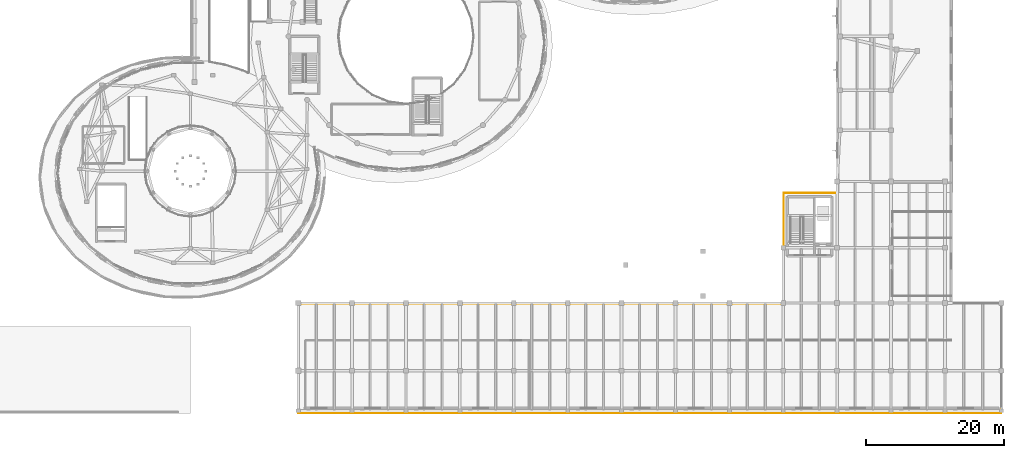
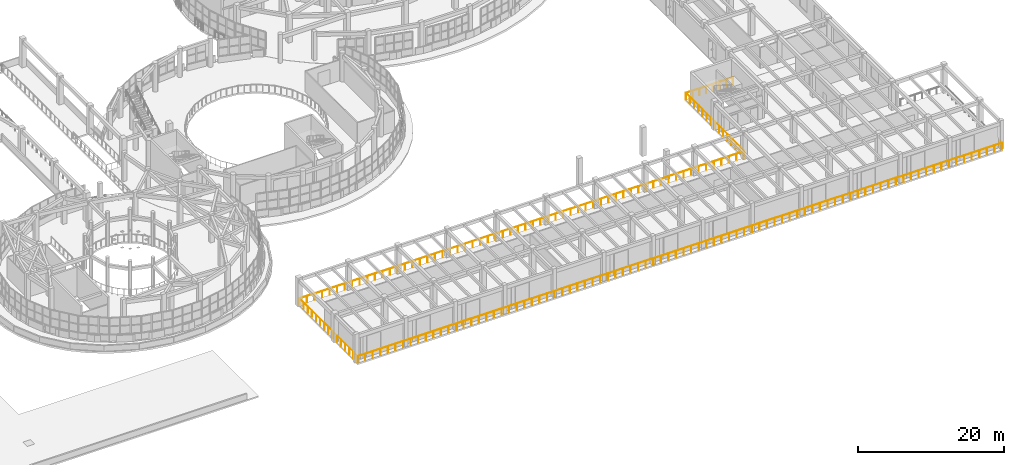
# One storey, part 91 of 98: 2 railings.
"""IFC4 building model written with IfcOpenShell, lengths in metres."""

from ifc_helpers import new_model, si_unit, direction, frame, origin, origin_2d, place, context, subcontext, project, spatial, circle, extrude, material, type_object, element, save


model = new_model("IFC4")

# Units and contexts
model_context = context("Model", 3, precision=1e-05, world=origin(), true_north=direction((0.0, 1.0)))
body_context = subcontext(model_context, "Body", "Model", "MODEL_VIEW")
ifc_project = project(units=[si_unit("LENGTHUNIT", "METRE"), si_unit("AREAUNIT", "SQUARE_METRE"), si_unit("VOLUMEUNIT", "CUBIC_METRE"), si_unit("PLANEANGLEUNIT", "RADIAN"), si_unit("MASSUNIT", "GRAM", prefix="KILO")], contexts=[model_context])

# Site, building, storey
site_placement = place(None, origin())
site = spatial("IfcSite", under=ifc_project, at=site_placement, CompositionType="ELEMENT")
building_placement = place(site_placement, origin())
building = spatial("IfcBuilding", under=site, at=building_placement, Name="Pelvatis Terrace Science Centre", CompositionType="ELEMENT")
storey_placement = place(building_placement, frame((0.0, 0.0, 5.39990234375)))
storey = spatial("IfcBuildingStorey", under=building, at=storey_placement, Name="L01", CompositionType="ELEMENT", Elevation=5.39990234375)

# Railings
ifc_material = material(Name="Bronze-anodised aluminium and laminated safety glass balustrade", Category="aluminium")
railing_type = type_object("IfcRailingType", Name="RLG-BAL-1150", PredefinedType="BALUSTRADE", material=ifc_material)
railing_1_placement = place(storey_placement, frame((62.4599609375, 0.06005859375, 0.0)))
element("IfcRailing", 1, at=railing_1_placement, inside=storey, type_object=railing_type, Name="Perimeter edge balustrade RLG-EDG-L01-094", PredefinedType="BALUSTRADE", context=body_context, shape_type="SweptSolid", body=[
    extrude(circle(Radius=0.02392578125, at=origin_2d()), frame((0.0, 0.0, 1.1259765625), z_axis=(0.0, 1.0, 0.0), x_axis=(-1.0, 0.0, 0.0)), (0.0, 0.0, 1.0), 15.8798828125),
    extrude(circle(Radius=0.02392578125, at=origin_2d()), frame((0.0, 15.8798828125, 1.1259765625), z_axis=(0.999999999267, 3.8297902e-05, 0.0), x_axis=(-3.8297902e-05, 0.999999999267, 0.0)), (0.0, 0.0, 1.0), 70.12255859375),
    extrude(circle(Radius=0.02392578125, at=origin_2d()), frame((70.12255859375, 15.882568359375, 1.1259765625), z_axis=(0.62205910192, 0.782970289167, 0.0), x_axis=(-0.782970289167, 0.62205910192, 0.0)), (0.0, 0.0, 1.0), 0.12451171875),
    extrude(circle(Radius=0.02392578125, at=origin_2d()), frame((70.199951171875, 15.97998046875, 1.1259765625), z_axis=(0.0, 1.0, 0.0), x_axis=(-1.0, 0.0, 0.0)), (0.0, 0.0, 1.0), 15.89990234375),
    extrude(circle(Radius=0.02392578125, at=origin_2d()), frame((70.199951171875, 31.8798828125, 1.1259765625), z_axis=(1.0, 0.0, 0.0), x_axis=(0.0, 1.0, 0.0)), (0.0, 0.0, 1.0), 7.44287109375),
    extrude(circle(Radius=0.02099609375, at=origin_2d()), origin(), (0.0, 0.0, 1.0), 1.101806640625),
    extrude(circle(Radius=0.02099609375, at=origin_2d()), frame((0.0, 1.13427734375, 0.0)), (0.0, 0.0, 1.0), 1.101806640625),
    extrude(circle(Radius=0.02099609375, at=origin_2d()), frame((0.0, 2.2685546875, 0.0)), (0.0, 0.0, 1.0), 1.101806640625),
    extrude(circle(Radius=0.02099609375, at=origin_2d()), frame((0.0, 3.40283203125, 0.0)), (0.0, 0.0, 1.0), 1.101806640625),
    extrude(circle(Radius=0.02099609375, at=origin_2d()), frame((0.0, 4.537109375, 0.0)), (0.0, 0.0, 1.0), 1.101806640625),
    extrude(circle(Radius=0.02099609375, at=origin_2d()), frame((0.0, 5.67138671875, 0.0)), (0.0, 0.0, 1.0), 1.101806640625),
    extrude(circle(Radius=0.02099609375, at=origin_2d()), frame((0.0, 6.8056640625, 0.0)), (0.0, 0.0, 1.0), 1.101806640625),
    extrude(circle(Radius=0.02099609375, at=origin_2d()), frame((0.0, 7.93994140625, 0.0)), (0.0, 0.0, 1.0), 1.101806640625),
    extrude(circle(Radius=0.02099609375, at=origin_2d()), frame((0.0, 9.07421875, 0.0)), (0.0, 0.0, 1.0), 1.101806640625),
    extrude(circle(Radius=0.02099609375, at=origin_2d()), frame((0.0, 10.20849609375, 0.0)), (0.0, 0.0, 1.0), 1.101806640625),
    extrude(circle(Radius=0.02099609375, at=origin_2d()), frame((0.0, 11.3427734375, 0.0)), (0.0, 0.0, 1.0), 1.101806640625),
    extrude(circle(Radius=0.02099609375, at=origin_2d()), frame((0.0, 12.47705078125, 0.0)), (0.0, 0.0, 1.0), 1.101806640625),
    extrude(circle(Radius=0.02099609375, at=origin_2d()), frame((0.0, 13.611328125, 0.0)), (0.0, 0.0, 1.0), 1.101806640625),
    extrude(circle(Radius=0.02099609375, at=origin_2d()), frame((0.0, 14.74560546875, 0.0)), (0.0, 0.0, 1.0), 1.101806640625),
    extrude(circle(Radius=0.02099609375, at=origin_2d()), frame((0.0, 15.8798828125, 0.0)), (0.0, 0.0, 1.0), 1.101806640625),
    extrude(circle(Radius=0.02099609375, at=origin_2d()), frame((1.1884765625, 15.8798828125, 0.0)), (0.0, 0.0, 1.0), 1.101806640625),
    extrude(circle(Radius=0.02099609375, at=origin_2d()), frame((2.376953125, 15.8798828125, 0.0)), (0.0, 0.0, 1.0), 1.101806640625),
    extrude(circle(Radius=0.02099609375, at=origin_2d()), frame((3.565673828125, 15.880126953125, 0.0)), (0.0, 0.0, 1.0), 1.101806640625),
    extrude(circle(Radius=0.02099609375, at=origin_2d()), frame((4.754150390625, 15.880126953125, 0.0)), (0.0, 0.0, 1.0), 1.101806640625),
    extrude(circle(Radius=0.02099609375, at=origin_2d()), frame((5.942626953125, 15.880126953125, 0.0)), (0.0, 0.0, 1.0), 1.101806640625),
    extrude(circle(Radius=0.02099609375, at=origin_2d()), frame((7.131103515625, 15.880126953125, 0.0)), (0.0, 0.0, 1.0), 1.101806640625),
    extrude(circle(Radius=0.02099609375, at=origin_2d()), frame((8.319580078125, 15.880126953125, 0.0)), (0.0, 0.0, 1.0), 1.101806640625),
    extrude(circle(Radius=0.02099609375, at=origin_2d()), frame((9.508056640625, 15.880126953125, 0.0)), (0.0, 0.0, 1.0), 1.101806640625),
    extrude(circle(Radius=0.02099609375, at=origin_2d()), frame((10.69677734375, 15.88037109375, 0.0)), (0.0, 0.0, 1.0), 1.101806640625),
    extrude(circle(Radius=0.02099609375, at=origin_2d()), frame((11.88525390625, 15.88037109375, 0.0)), (0.0, 0.0, 1.0), 1.101806640625),
    extrude(circle(Radius=0.02099609375, at=origin_2d()), frame((13.07373046875, 15.88037109375, 0.0)), (0.0, 0.0, 1.0), 1.101806640625),
    extrude(circle(Radius=0.02099609375, at=origin_2d()), frame((14.26220703125, 15.88037109375, 0.0)), (0.0, 0.0, 1.0), 1.101806640625),
    extrude(circle(Radius=0.02099609375, at=origin_2d()), frame((15.45068359375, 15.88037109375, 0.0)), (0.0, 0.0, 1.0), 1.101806640625),
    extrude(circle(Radius=0.02099609375, at=origin_2d()), frame((16.63916015625, 15.880615234375, 0.0)), (0.0, 0.0, 1.0), 1.101806640625),
    extrude(circle(Radius=0.02099609375, at=origin_2d()), frame((17.827880859375, 15.880615234375, 0.0)), (0.0, 0.0, 1.0), 1.101806640625),
    extrude(circle(Radius=0.02099609375, at=origin_2d()), frame((19.016357421875, 15.880615234375, 0.0)), (0.0, 0.0, 1.0), 1.101806640625),
    extrude(circle(Radius=0.02099609375, at=origin_2d()), frame((20.204833984375, 15.880615234375, 0.0)), (0.0, 0.0, 1.0), 1.101806640625),
    extrude(circle(Radius=0.02099609375, at=origin_2d()), frame((21.393310546875, 15.880615234375, 0.0)), (0.0, 0.0, 1.0), 1.101806640625),
    extrude(circle(Radius=0.02099609375, at=origin_2d()), frame((22.581787109375, 15.880859375, 0.0)), (0.0, 0.0, 1.0), 1.101806640625),
    extrude(circle(Radius=0.02099609375, at=origin_2d()), frame((23.770263671875, 15.880859375, 0.0)), (0.0, 0.0, 1.0), 1.101806640625),
    extrude(circle(Radius=0.02099609375, at=origin_2d()), frame((24.958984375, 15.880859375, 0.0)), (0.0, 0.0, 1.0), 1.101806640625),
    extrude(circle(Radius=0.02099609375, at=origin_2d()), frame((26.1474609375, 15.880859375, 0.0)), (0.0, 0.0, 1.0), 1.101806640625),
    extrude(circle(Radius=0.02099609375, at=origin_2d()), frame((27.3359375, 15.880859375, 0.0)), (0.0, 0.0, 1.0), 1.101806640625),
    extrude(circle(Radius=0.02099609375, at=origin_2d()), frame((28.5244140625, 15.880859375, 0.0)), (0.0, 0.0, 1.0), 1.101806640625),
    extrude(circle(Radius=0.02099609375, at=origin_2d()), frame((29.712890625, 15.881103515625, 0.0)), (0.0, 0.0, 1.0), 1.101806640625),
    extrude(circle(Radius=0.02099609375, at=origin_2d()), frame((30.9013671875, 15.881103515625, 0.0)), (0.0, 0.0, 1.0), 1.101806640625),
    extrude(circle(Radius=0.02099609375, at=origin_2d()), frame((32.090087890625, 15.881103515625, 0.0)), (0.0, 0.0, 1.0), 1.101806640625),
    extrude(circle(Radius=0.02099609375, at=origin_2d()), frame((33.278564453125, 15.881103515625, 0.0)), (0.0, 0.0, 1.0), 1.101806640625),
    extrude(circle(Radius=0.02099609375, at=origin_2d()), frame((34.467041015625, 15.881103515625, 0.0)), (0.0, 0.0, 1.0), 1.101806640625),
    extrude(circle(Radius=0.02099609375, at=origin_2d()), frame((35.655517578125, 15.88134765625, 0.0)), (0.0, 0.0, 1.0), 1.101806640625),
    extrude(circle(Radius=0.02099609375, at=origin_2d()), frame((36.843994140625, 15.88134765625, 0.0)), (0.0, 0.0, 1.0), 1.101806640625),
    extrude(circle(Radius=0.02099609375, at=origin_2d()), frame((38.032470703125, 15.88134765625, 0.0)), (0.0, 0.0, 1.0), 1.101806640625),
    extrude(circle(Radius=0.02099609375, at=origin_2d()), frame((39.22119140625, 15.88134765625, 0.0)), (0.0, 0.0, 1.0), 1.101806640625),
    extrude(circle(Radius=0.02099609375, at=origin_2d()), frame((40.40966796875, 15.88134765625, 0.0)), (0.0, 0.0, 1.0), 1.101806640625),
    extrude(circle(Radius=0.02099609375, at=origin_2d()), frame((41.59814453125, 15.881591796875, 0.0)), (0.0, 0.0, 1.0), 1.101806640625),
    extrude(circle(Radius=0.02099609375, at=origin_2d()), frame((42.78662109375, 15.881591796875, 0.0)), (0.0, 0.0, 1.0), 1.101806640625),
    extrude(circle(Radius=0.02099609375, at=origin_2d()), frame((43.97509765625, 15.881591796875, 0.0)), (0.0, 0.0, 1.0), 1.101806640625),
    extrude(circle(Radius=0.02099609375, at=origin_2d()), frame((45.16357421875, 15.881591796875, 0.0)), (0.0, 0.0, 1.0), 1.101806640625),
    extrude(circle(Radius=0.02099609375, at=origin_2d()), frame((46.352294921875, 15.881591796875, 0.0)), (0.0, 0.0, 1.0), 1.101806640625),
    extrude(circle(Radius=0.02099609375, at=origin_2d()), frame((47.540771484375, 15.881591796875, 0.0)), (0.0, 0.0, 1.0), 1.101806640625),
    extrude(circle(Radius=0.02099609375, at=origin_2d()), frame((48.729248046875, 15.8818359375, 0.0)), (0.0, 0.0, 1.0), 1.101806640625),
    extrude(circle(Radius=0.02099609375, at=origin_2d()), frame((49.917724609375, 15.8818359375, 0.0)), (0.0, 0.0, 1.0), 1.101806640625),
    extrude(circle(Radius=0.02099609375, at=origin_2d()), frame((51.106201171875, 15.8818359375, 0.0)), (0.0, 0.0, 1.0), 1.101806640625),
    extrude(circle(Radius=0.02099609375, at=origin_2d()), frame((52.294677734375, 15.8818359375, 0.0)), (0.0, 0.0, 1.0), 1.101806640625),
    extrude(circle(Radius=0.02099609375, at=origin_2d()), frame((53.4833984375, 15.8818359375, 0.0)), (0.0, 0.0, 1.0), 1.101806640625),
    extrude(circle(Radius=0.02099609375, at=origin_2d()), frame((54.671875, 15.882080078125, 0.0)), (0.0, 0.0, 1.0), 1.101806640625),
    extrude(circle(Radius=0.02099609375, at=origin_2d()), frame((55.8603515625, 15.882080078125, 0.0)), (0.0, 0.0, 1.0), 1.101806640625),
    extrude(circle(Radius=0.02099609375, at=origin_2d()), frame((57.048828125, 15.882080078125, 0.0)), (0.0, 0.0, 1.0), 1.101806640625),
    extrude(circle(Radius=0.02099609375, at=origin_2d()), frame((58.2373046875, 15.882080078125, 0.0)), (0.0, 0.0, 1.0), 1.101806640625),
    extrude(circle(Radius=0.02099609375, at=origin_2d()), frame((59.42578125, 15.882080078125, 0.0)), (0.0, 0.0, 1.0), 1.101806640625),
    extrude(circle(Radius=0.02099609375, at=origin_2d()), frame((60.614501953125, 15.88232421875, 0.0)), (0.0, 0.0, 1.0), 1.101806640625),
    extrude(circle(Radius=0.02099609375, at=origin_2d()), frame((61.802978515625, 15.88232421875, 0.0)), (0.0, 0.0, 1.0), 1.101806640625),
    extrude(circle(Radius=0.02099609375, at=origin_2d()), frame((62.991455078125, 15.88232421875, 0.0)), (0.0, 0.0, 1.0), 1.101806640625),
    extrude(circle(Radius=0.02099609375, at=origin_2d()), frame((64.179931640625, 15.88232421875, 0.0)), (0.0, 0.0, 1.0), 1.101806640625),
    extrude(circle(Radius=0.02099609375, at=origin_2d()), frame((65.368408203125, 15.88232421875, 0.0)), (0.0, 0.0, 1.0), 1.101806640625),
    extrude(circle(Radius=0.02099609375, at=origin_2d()), frame((66.556884765625, 15.88232421875, 0.0)), (0.0, 0.0, 1.0), 1.101806640625),
    extrude(circle(Radius=0.02099609375, at=origin_2d()), frame((67.74560546875, 15.882568359375, 0.0)), (0.0, 0.0, 1.0), 1.101806640625),
    extrude(circle(Radius=0.02099609375, at=origin_2d()), frame((68.93408203125, 15.882568359375, 0.0)), (0.0, 0.0, 1.0), 1.101806640625),
    extrude(circle(Radius=0.02099609375, at=origin_2d()), frame((70.12255859375, 15.882568359375, 0.0)), (0.0, 0.0, 1.0), 1.101806640625),
    extrude(circle(Radius=0.02099609375, at=origin_2d()), frame((70.199951171875, 15.97998046875, 0.0)), (0.0, 0.0, 1.0), 1.101806640625),
    extrude(circle(Radius=0.02099609375, at=origin_2d()), frame((70.199951171875, 17.11572265625, 0.0)), (0.0, 0.0, 1.0), 1.101806640625),
    extrude(circle(Radius=0.02099609375, at=origin_2d()), frame((70.199951171875, 18.25146484375, 0.0)), (0.0, 0.0, 1.0), 1.101806640625),
    extrude(circle(Radius=0.02099609375, at=origin_2d()), frame((70.199951171875, 19.38720703125, 0.0)), (0.0, 0.0, 1.0), 1.101806640625),
    extrude(circle(Radius=0.02099609375, at=origin_2d()), frame((70.199951171875, 20.522705078125, 0.0)), (0.0, 0.0, 1.0), 1.101806640625),
    extrude(circle(Radius=0.02099609375, at=origin_2d()), frame((70.199951171875, 21.658447265625, 0.0)), (0.0, 0.0, 1.0), 1.101806640625),
    extrude(circle(Radius=0.02099609375, at=origin_2d()), frame((70.199951171875, 22.794189453125, 0.0)), (0.0, 0.0, 1.0), 1.101806640625),
    extrude(circle(Radius=0.02099609375, at=origin_2d()), frame((70.199951171875, 23.929931640625, 0.0)), (0.0, 0.0, 1.0), 1.101806640625),
    extrude(circle(Radius=0.02099609375, at=origin_2d()), frame((70.199951171875, 25.065673828125, 0.0)), (0.0, 0.0, 1.0), 1.101806640625),
    extrude(circle(Radius=0.02099609375, at=origin_2d()), frame((70.199951171875, 26.201416015625, 0.0)), (0.0, 0.0, 1.0), 1.101806640625),
    extrude(circle(Radius=0.02099609375, at=origin_2d()), frame((70.199951171875, 27.337158203125, 0.0)), (0.0, 0.0, 1.0), 1.101806640625),
    extrude(circle(Radius=0.02099609375, at=origin_2d()), frame((70.199951171875, 28.47265625, 0.0)), (0.0, 0.0, 1.0), 1.101806640625),
    extrude(circle(Radius=0.02099609375, at=origin_2d()), frame((70.199951171875, 29.6083984375, 0.0)), (0.0, 0.0, 1.0), 1.101806640625),
    extrude(circle(Radius=0.02099609375, at=origin_2d()), frame((70.199951171875, 30.744140625, 0.0)), (0.0, 0.0, 1.0), 1.101806640625),
    extrude(circle(Radius=0.02099609375, at=origin_2d()), frame((70.199951171875, 31.8798828125, 0.0)), (0.0, 0.0, 1.0), 1.101806640625),
    extrude(circle(Radius=0.02099609375, at=origin_2d()), frame((71.26318359375, 31.8798828125, 0.0)), (0.0, 0.0, 1.0), 1.101806640625),
    extrude(circle(Radius=0.02099609375, at=origin_2d()), frame((72.326416015625, 31.8798828125, 0.0)), (0.0, 0.0, 1.0), 1.101806640625),
    extrude(circle(Radius=0.02099609375, at=origin_2d()), frame((73.3896484375, 31.8798828125, 0.0)), (0.0, 0.0, 1.0), 1.101806640625),
    extrude(circle(Radius=0.02099609375, at=origin_2d()), frame((74.453125, 31.8798828125, 0.0)), (0.0, 0.0, 1.0), 1.101806640625),
    extrude(circle(Radius=0.02099609375, at=origin_2d()), frame((75.516357421875, 31.8798828125, 0.0)), (0.0, 0.0, 1.0), 1.101806640625),
    extrude(circle(Radius=0.02099609375, at=origin_2d()), frame((76.57958984375, 31.8798828125, 0.0)), (0.0, 0.0, 1.0), 1.101806640625),
    extrude(circle(Radius=0.02099609375, at=origin_2d()), frame((77.642822265625, 31.8798828125, 0.0)), (0.0, 0.0, 1.0), 1.101806640625),
])
railing_2_placement = place(storey_placement, frame((164.139892578125, 0.609619140625, 0.0)))
element("IfcRailing", 2, at=railing_2_placement, inside=storey, type_object=railing_type, Name="Perimeter edge balustrade RLG-EDG-L01-096", PredefinedType="BALUSTRADE", context=body_context, shape_type="SweptSolid", body=[
    extrude(circle(Radius=0.02392578125, at=origin_2d()), frame((0.0, 0.0, 1.1259765625), z_axis=(0.0, -1.0, 0.0), x_axis=(1.0, 0.0, 0.0)), (0.0, 0.0, 1.0), 0.549560546875),
    extrude(circle(Radius=0.02392578125, at=origin_2d()), frame((0.0, -0.549560546875, 1.1259765625), z_axis=(-1.0, 0.0, 0.0), x_axis=(0.0, -1.0, 0.0)), (0.0, 0.0, 1.0), 101.679931640625),
    extrude(circle(Radius=0.02099609375, at=origin_2d()), origin(), (0.0, 0.0, 1.0), 1.101806640625),
    extrude(circle(Radius=0.02099609375, at=origin_2d()), frame((0.0, -0.549560546875, 0.0)), (0.0, 0.0, 1.0), 1.101806640625),
    extrude(circle(Radius=0.02099609375, at=origin_2d()), frame((-1.1962890625, -0.549560546875, 0.0)), (0.0, 0.0, 1.0), 1.101806640625),
    extrude(circle(Radius=0.02099609375, at=origin_2d()), frame((-2.392578125, -0.549560546875, 0.0)), (0.0, 0.0, 1.0), 1.101806640625),
    extrude(circle(Radius=0.02099609375, at=origin_2d()), frame((-3.588623046875, -0.549560546875, 0.0)), (0.0, 0.0, 1.0), 1.101806640625),
    extrude(circle(Radius=0.02099609375, at=origin_2d()), frame((-4.784912109375, -0.549560546875, 0.0)), (0.0, 0.0, 1.0), 1.101806640625),
    extrude(circle(Radius=0.02099609375, at=origin_2d()), frame((-5.981201171875, -0.549560546875, 0.0)), (0.0, 0.0, 1.0), 1.101806640625),
    extrude(circle(Radius=0.02099609375, at=origin_2d()), frame((-7.177490234375, -0.549560546875, 0.0)), (0.0, 0.0, 1.0), 1.101806640625),
    extrude(circle(Radius=0.02099609375, at=origin_2d()), frame((-8.37353515625, -0.549560546875, 0.0)), (0.0, 0.0, 1.0), 1.101806640625),
    extrude(circle(Radius=0.02099609375, at=origin_2d()), frame((-9.56982421875, -0.549560546875, 0.0)), (0.0, 0.0, 1.0), 1.101806640625),
    extrude(circle(Radius=0.02099609375, at=origin_2d()), frame((-10.76611328125, -0.549560546875, 0.0)), (0.0, 0.0, 1.0), 1.101806640625),
    extrude(circle(Radius=0.02099609375, at=origin_2d()), frame((-11.96240234375, -0.549560546875, 0.0)), (0.0, 0.0, 1.0), 1.101806640625),
    extrude(circle(Radius=0.02099609375, at=origin_2d()), frame((-13.15869140625, -0.549560546875, 0.0)), (0.0, 0.0, 1.0), 1.101806640625),
    extrude(circle(Radius=0.02099609375, at=origin_2d()), frame((-14.354736328125, -0.549560546875, 0.0)), (0.0, 0.0, 1.0), 1.101806640625),
    extrude(circle(Radius=0.02099609375, at=origin_2d()), frame((-15.551025390625, -0.549560546875, 0.0)), (0.0, 0.0, 1.0), 1.101806640625),
    extrude(circle(Radius=0.02099609375, at=origin_2d()), frame((-16.747314453125, -0.549560546875, 0.0)), (0.0, 0.0, 1.0), 1.101806640625),
    extrude(circle(Radius=0.02099609375, at=origin_2d()), frame((-17.943603515625, -0.549560546875, 0.0)), (0.0, 0.0, 1.0), 1.101806640625),
    extrude(circle(Radius=0.02099609375, at=origin_2d()), frame((-19.1396484375, -0.549560546875, 0.0)), (0.0, 0.0, 1.0), 1.101806640625),
    extrude(circle(Radius=0.02099609375, at=origin_2d()), frame((-20.3359375, -0.549560546875, 0.0)), (0.0, 0.0, 1.0), 1.101806640625),
    extrude(circle(Radius=0.02099609375, at=origin_2d()), frame((-21.5322265625, -0.549560546875, 0.0)), (0.0, 0.0, 1.0), 1.101806640625),
    extrude(circle(Radius=0.02099609375, at=origin_2d()), frame((-22.728515625, -0.549560546875, 0.0)), (0.0, 0.0, 1.0), 1.101806640625),
    extrude(circle(Radius=0.02099609375, at=origin_2d()), frame((-23.9248046875, -0.549560546875, 0.0)), (0.0, 0.0, 1.0), 1.101806640625),
    extrude(circle(Radius=0.02099609375, at=origin_2d()), frame((-25.120849609375, -0.549560546875, 0.0)), (0.0, 0.0, 1.0), 1.101806640625),
    extrude(circle(Radius=0.02099609375, at=origin_2d()), frame((-26.317138671875, -0.549560546875, 0.0)), (0.0, 0.0, 1.0), 1.101806640625),
    extrude(circle(Radius=0.02099609375, at=origin_2d()), frame((-27.513427734375, -0.549560546875, 0.0)), (0.0, 0.0, 1.0), 1.101806640625),
    extrude(circle(Radius=0.02099609375, at=origin_2d()), frame((-28.709716796875, -0.549560546875, 0.0)), (0.0, 0.0, 1.0), 1.101806640625),
    extrude(circle(Radius=0.02099609375, at=origin_2d()), frame((-29.90576171875, -0.549560546875, 0.0)), (0.0, 0.0, 1.0), 1.101806640625),
    extrude(circle(Radius=0.02099609375, at=origin_2d()), frame((-31.10205078125, -0.549560546875, 0.0)), (0.0, 0.0, 1.0), 1.101806640625),
    extrude(circle(Radius=0.02099609375, at=origin_2d()), frame((-32.29833984375, -0.549560546875, 0.0)), (0.0, 0.0, 1.0), 1.101806640625),
    extrude(circle(Radius=0.02099609375, at=origin_2d()), frame((-33.49462890625, -0.549560546875, 0.0)), (0.0, 0.0, 1.0), 1.101806640625),
    extrude(circle(Radius=0.02099609375, at=origin_2d()), frame((-34.69091796875, -0.549560546875, 0.0)), (0.0, 0.0, 1.0), 1.101806640625),
    extrude(circle(Radius=0.02099609375, at=origin_2d()), frame((-35.886962890625, -0.549560546875, 0.0)), (0.0, 0.0, 1.0), 1.101806640625),
    extrude(circle(Radius=0.02099609375, at=origin_2d()), frame((-37.083251953125, -0.549560546875, 0.0)), (0.0, 0.0, 1.0), 1.101806640625),
    extrude(circle(Radius=0.02099609375, at=origin_2d()), frame((-38.279541015625, -0.549560546875, 0.0)), (0.0, 0.0, 1.0), 1.101806640625),
    extrude(circle(Radius=0.02099609375, at=origin_2d()), frame((-39.475830078125, -0.549560546875, 0.0)), (0.0, 0.0, 1.0), 1.101806640625),
    extrude(circle(Radius=0.02099609375, at=origin_2d()), frame((-40.671875, -0.549560546875, 0.0)), (0.0, 0.0, 1.0), 1.101806640625),
    extrude(circle(Radius=0.02099609375, at=origin_2d()), frame((-41.8681640625, -0.549560546875, 0.0)), (0.0, 0.0, 1.0), 1.101806640625),
    extrude(circle(Radius=0.02099609375, at=origin_2d()), frame((-43.064453125, -0.549560546875, 0.0)), (0.0, 0.0, 1.0), 1.101806640625),
    extrude(circle(Radius=0.02099609375, at=origin_2d()), frame((-44.2607421875, -0.549560546875, 0.0)), (0.0, 0.0, 1.0), 1.101806640625),
    extrude(circle(Radius=0.02099609375, at=origin_2d()), frame((-45.45703125, -0.549560546875, 0.0)), (0.0, 0.0, 1.0), 1.101806640625),
    extrude(circle(Radius=0.02099609375, at=origin_2d()), frame((-46.653076171875, -0.549560546875, 0.0)), (0.0, 0.0, 1.0), 1.101806640625),
    extrude(circle(Radius=0.02099609375, at=origin_2d()), frame((-47.849365234375, -0.549560546875, 0.0)), (0.0, 0.0, 1.0), 1.101806640625),
    extrude(circle(Radius=0.02099609375, at=origin_2d()), frame((-49.045654296875, -0.549560546875, 0.0)), (0.0, 0.0, 1.0), 1.101806640625),
    extrude(circle(Radius=0.02099609375, at=origin_2d()), frame((-50.241943359375, -0.549560546875, 0.0)), (0.0, 0.0, 1.0), 1.101806640625),
    extrude(circle(Radius=0.02099609375, at=origin_2d()), frame((-51.43798828125, -0.549560546875, 0.0)), (0.0, 0.0, 1.0), 1.101806640625),
    extrude(circle(Radius=0.02099609375, at=origin_2d()), frame((-52.63427734375, -0.549560546875, 0.0)), (0.0, 0.0, 1.0), 1.101806640625),
    extrude(circle(Radius=0.02099609375, at=origin_2d()), frame((-53.83056640625, -0.549560546875, 0.0)), (0.0, 0.0, 1.0), 1.101806640625),
    extrude(circle(Radius=0.02099609375, at=origin_2d()), frame((-55.02685546875, -0.549560546875, 0.0)), (0.0, 0.0, 1.0), 1.101806640625),
    extrude(circle(Radius=0.02099609375, at=origin_2d()), frame((-56.222900390625, -0.549560546875, 0.0)), (0.0, 0.0, 1.0), 1.101806640625),
    extrude(circle(Radius=0.02099609375, at=origin_2d()), frame((-57.419189453125, -0.549560546875, 0.0)), (0.0, 0.0, 1.0), 1.101806640625),
    extrude(circle(Radius=0.02099609375, at=origin_2d()), frame((-58.615478515625, -0.549560546875, 0.0)), (0.0, 0.0, 1.0), 1.101806640625),
    extrude(circle(Radius=0.02099609375, at=origin_2d()), frame((-59.811767578125, -0.549560546875, 0.0)), (0.0, 0.0, 1.0), 1.101806640625),
    extrude(circle(Radius=0.02099609375, at=origin_2d()), frame((-61.008056640625, -0.549560546875, 0.0)), (0.0, 0.0, 1.0), 1.101806640625),
    extrude(circle(Radius=0.02099609375, at=origin_2d()), frame((-62.2041015625, -0.549560546875, 0.0)), (0.0, 0.0, 1.0), 1.101806640625),
    extrude(circle(Radius=0.02099609375, at=origin_2d()), frame((-63.400390625, -0.549560546875, 0.0)), (0.0, 0.0, 1.0), 1.101806640625),
    extrude(circle(Radius=0.02099609375, at=origin_2d()), frame((-64.5966796875, -0.549560546875, 0.0)), (0.0, 0.0, 1.0), 1.101806640625),
    extrude(circle(Radius=0.02099609375, at=origin_2d()), frame((-65.79296875, -0.549560546875, 0.0)), (0.0, 0.0, 1.0), 1.101806640625),
    extrude(circle(Radius=0.02099609375, at=origin_2d()), frame((-66.989013671875, -0.549560546875, 0.0)), (0.0, 0.0, 1.0), 1.101806640625),
    extrude(circle(Radius=0.02099609375, at=origin_2d()), frame((-68.185302734375, -0.549560546875, 0.0)), (0.0, 0.0, 1.0), 1.101806640625),
    extrude(circle(Radius=0.02099609375, at=origin_2d()), frame((-69.381591796875, -0.549560546875, 0.0)), (0.0, 0.0, 1.0), 1.101806640625),
    extrude(circle(Radius=0.02099609375, at=origin_2d()), frame((-70.577880859375, -0.549560546875, 0.0)), (0.0, 0.0, 1.0), 1.101806640625),
    extrude(circle(Radius=0.02099609375, at=origin_2d()), frame((-71.774169921875, -0.549560546875, 0.0)), (0.0, 0.0, 1.0), 1.101806640625),
    extrude(circle(Radius=0.02099609375, at=origin_2d()), frame((-72.97021484375, -0.549560546875, 0.0)), (0.0, 0.0, 1.0), 1.101806640625),
    extrude(circle(Radius=0.02099609375, at=origin_2d()), frame((-74.16650390625, -0.549560546875, 0.0)), (0.0, 0.0, 1.0), 1.101806640625),
    extrude(circle(Radius=0.02099609375, at=origin_2d()), frame((-75.36279296875, -0.549560546875, 0.0)), (0.0, 0.0, 1.0), 1.101806640625),
    extrude(circle(Radius=0.02099609375, at=origin_2d()), frame((-76.55908203125, -0.549560546875, 0.0)), (0.0, 0.0, 1.0), 1.101806640625),
    extrude(circle(Radius=0.02099609375, at=origin_2d()), frame((-77.755126953125, -0.549560546875, 0.0)), (0.0, 0.0, 1.0), 1.101806640625),
    extrude(circle(Radius=0.02099609375, at=origin_2d()), frame((-78.951416015625, -0.549560546875, 0.0)), (0.0, 0.0, 1.0), 1.101806640625),
    extrude(circle(Radius=0.02099609375, at=origin_2d()), frame((-80.147705078125, -0.549560546875, 0.0)), (0.0, 0.0, 1.0), 1.101806640625),
    extrude(circle(Radius=0.02099609375, at=origin_2d()), frame((-81.343994140625, -0.549560546875, 0.0)), (0.0, 0.0, 1.0), 1.101806640625),
    extrude(circle(Radius=0.02099609375, at=origin_2d()), frame((-82.540283203125, -0.549560546875, 0.0)), (0.0, 0.0, 1.0), 1.101806640625),
    extrude(circle(Radius=0.02099609375, at=origin_2d()), frame((-83.736328125, -0.549560546875, 0.0)), (0.0, 0.0, 1.0), 1.101806640625),
    extrude(circle(Radius=0.02099609375, at=origin_2d()), frame((-84.9326171875, -0.549560546875, 0.0)), (0.0, 0.0, 1.0), 1.101806640625),
    extrude(circle(Radius=0.02099609375, at=origin_2d()), frame((-86.12890625, -0.549560546875, 0.0)), (0.0, 0.0, 1.0), 1.101806640625),
    extrude(circle(Radius=0.02099609375, at=origin_2d()), frame((-87.3251953125, -0.549560546875, 0.0)), (0.0, 0.0, 1.0), 1.101806640625),
    extrude(circle(Radius=0.02099609375, at=origin_2d()), frame((-88.521240234375, -0.549560546875, 0.0)), (0.0, 0.0, 1.0), 1.101806640625),
    extrude(circle(Radius=0.02099609375, at=origin_2d()), frame((-89.717529296875, -0.549560546875, 0.0)), (0.0, 0.0, 1.0), 1.101806640625),
    extrude(circle(Radius=0.02099609375, at=origin_2d()), frame((-90.913818359375, -0.549560546875, 0.0)), (0.0, 0.0, 1.0), 1.101806640625),
    extrude(circle(Radius=0.02099609375, at=origin_2d()), frame((-92.110107421875, -0.549560546875, 0.0)), (0.0, 0.0, 1.0), 1.101806640625),
    extrude(circle(Radius=0.02099609375, at=origin_2d()), frame((-93.306396484375, -0.549560546875, 0.0)), (0.0, 0.0, 1.0), 1.101806640625),
    extrude(circle(Radius=0.02099609375, at=origin_2d()), frame((-94.50244140625, -0.549560546875, 0.0)), (0.0, 0.0, 1.0), 1.101806640625),
    extrude(circle(Radius=0.02099609375, at=origin_2d()), frame((-95.69873046875, -0.549560546875, 0.0)), (0.0, 0.0, 1.0), 1.101806640625),
    extrude(circle(Radius=0.02099609375, at=origin_2d()), frame((-96.89501953125, -0.549560546875, 0.0)), (0.0, 0.0, 1.0), 1.101806640625),
    extrude(circle(Radius=0.02099609375, at=origin_2d()), frame((-98.09130859375, -0.549560546875, 0.0)), (0.0, 0.0, 1.0), 1.101806640625),
    extrude(circle(Radius=0.02099609375, at=origin_2d()), frame((-99.287353515625, -0.549560546875, 0.0)), (0.0, 0.0, 1.0), 1.101806640625),
    extrude(circle(Radius=0.02099609375, at=origin_2d()), frame((-100.483642578125, -0.549560546875, 0.0)), (0.0, 0.0, 1.0), 1.101806640625),
    extrude(circle(Radius=0.02099609375, at=origin_2d()), frame((-101.679931640625, -0.549560546875, 0.0)), (0.0, 0.0, 1.0), 1.101806640625),
])

save(model, "model.ifc")
